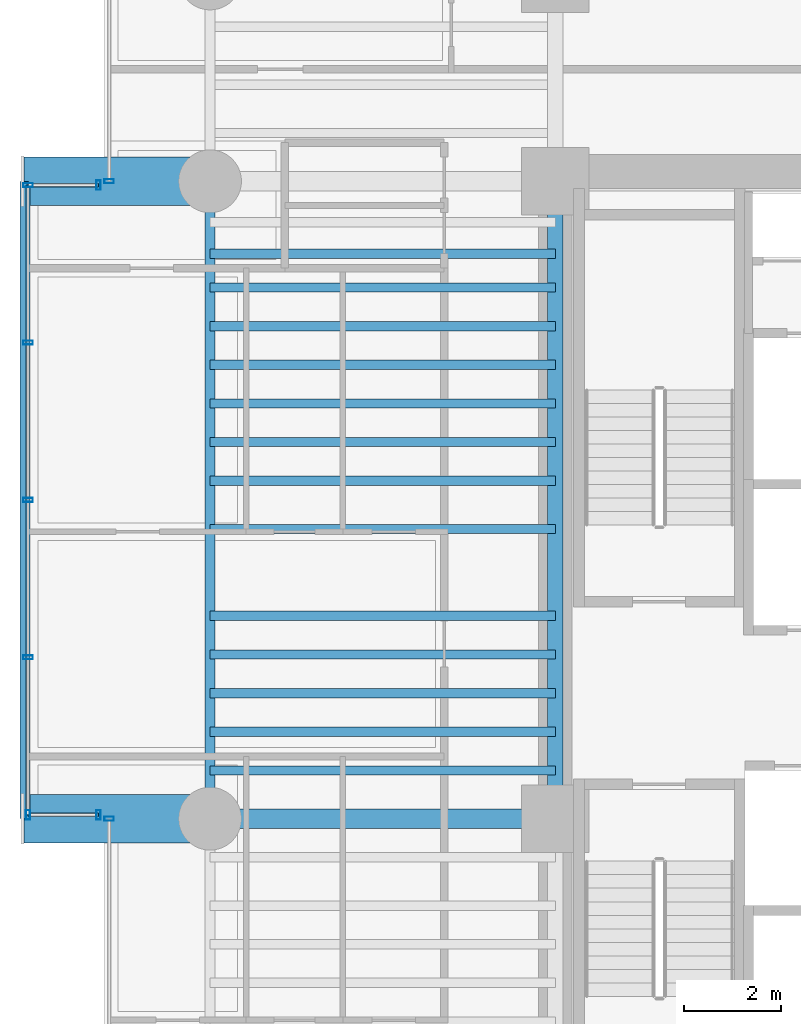
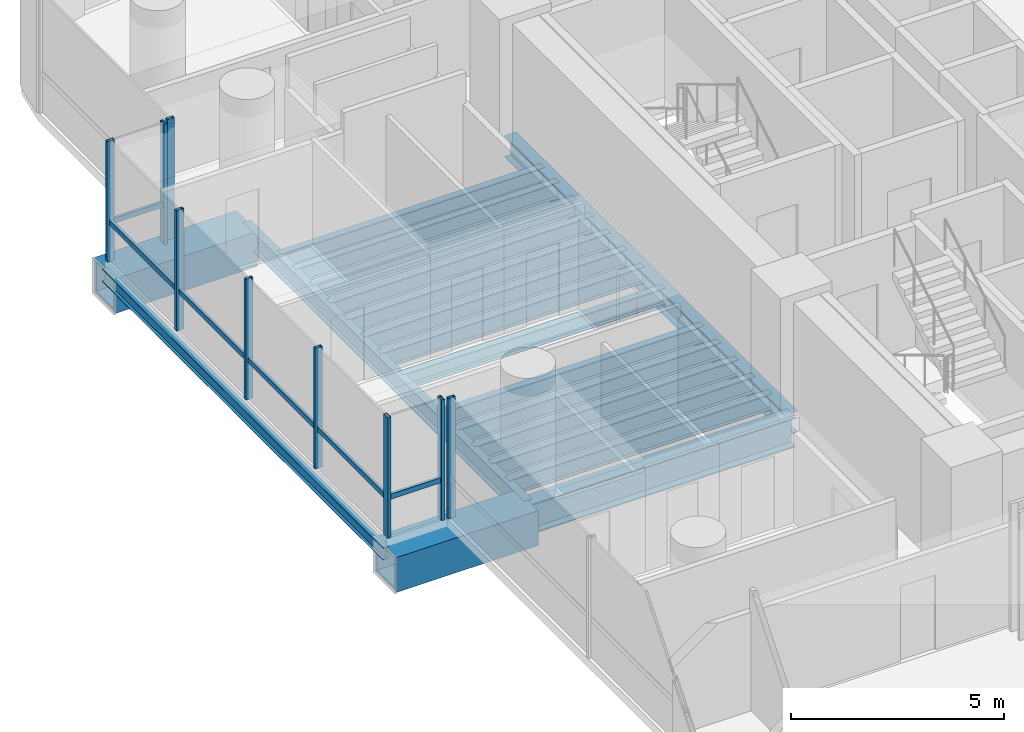
# One storey, part 8 of 40: 19 beams, 12 members, 5 elements without a shape of their own.
"""IFC4 building model written with IfcOpenShell, lengths in metres."""

import ifcopenshell
import ifcopenshell.guid

model = None  # the IFC model being written
_history = None  # IfcOwnerHistory: only IFC2X3 demands one
_inside = {}  # id of a spatial element -> (the spatial element, [elements in it])
_under = {}  # id of a project, library or spatial element -> (it, [spatial elements below it])
_declared = {}  # id of a project -> (the project, [libraries it declares])
_typed = {}  # id of a type object -> (the type object, [elements of that type])
_made_of = {}  # id of a material, layer set ... -> (it, [elements and type objects made of it])


def new_model(schema):
    """Start an empty IFC model of exactly this schema.

    Asked for "IFC4X3", IfcOpenShell would pick the latest addendum, in which some entities
    have other attributes; the version numbers below select the first issue.
    IFC2X3 requires an IfcOwnerHistory on every rooted entity: one is made here for all.
    """
    global model, _history
    if schema == "IFC4X3":
        model = ifcopenshell.file(schema_version=(4, 3, 0, 0))
    else:
        model = ifcopenshell.file(schema=schema)
    _inside.clear()
    _under.clear()
    _declared.clear()
    _typed.clear()
    _made_of.clear()
    _history = None
    if model.schema == "IFC2X3":
        org = make("IfcOrganization", Name="unknown")
        user = make(
            "IfcPersonAndOrganization",
            ThePerson=make("IfcPerson", FamilyName="unknown"),
            TheOrganization=org,
        )
        app = make(
            "IfcApplication",
            ApplicationDeveloper=org,
            Version="unknown",
            ApplicationFullName="unknown",
            ApplicationIdentifier="unknown",
        )
        _history = make(
            "IfcOwnerHistory",
            OwningUser=user,
            OwningApplication=app,
            ChangeAction="ADDED",
            CreationDate=0,
        )
    return model


def make(cls, **values):
    """One entity of the class cls with the attributes given. An attribute that is None is left unset."""
    return model.create_entity(
        cls, **{name: value for name, value in values.items() if value is not None}
    )


def rooted(cls, **values):
    """An entity with a GlobalId (a new one), such as an element, a storey or a relation."""
    return make(cls, GlobalId=ifcopenshell.guid.new(), OwnerHistory=_history, **values)


def si_unit(unit_type, name, prefix=None):
    """IfcSIUnit, for example si_unit("LENGTHUNIT", "METRE", prefix="MILLI")."""
    return make("IfcSIUnit", UnitType=unit_type, Prefix=prefix, Name=name)


def assignment(units):
    """IfcUnitAssignment: the units of a project."""
    return None if units is None else make("IfcUnitAssignment", Units=units)


def point(xyz):
    """IfcCartesianPoint."""
    return None if xyz is None else make("IfcCartesianPoint", Coordinates=xyz)


def direction(xyz):
    """IfcDirection."""
    return None if xyz is None else make("IfcDirection", DirectionRatios=xyz)


def frame(location, z_axis=None, x_axis=None):
    """IfcAxis2Placement3D, a coordinate frame: its origin and axes. An axis left out is left unset."""
    return make(
        "IfcAxis2Placement3D",
        Location=point(location),
        Axis=direction(z_axis),
        RefDirection=direction(x_axis),
    )


def frame_2d(location, x_axis=None):
    """IfcAxis2Placement2D, a coordinate frame in the plane: its origin and x axis."""
    return make(
        "IfcAxis2Placement2D", Location=point(location), RefDirection=direction(x_axis)
    )


def origin():
    """The frame at (0, 0, 0) with its axes left unset."""
    return frame((0.0, 0.0, 0.0))


def origin_2d():
    """The frame at (0, 0) in the plane with its x axis left unset."""
    return frame_2d((0.0, 0.0))


def place(relative_to, where):
    """IfcLocalPlacement: puts the frame where relative to a parent placement (None: the world)."""
    return make(
        "IfcLocalPlacement", PlacementRelTo=relative_to, RelativePlacement=where
    )


def context(
    kind, dimensions, precision=None, world=None, true_north=None, identifier=None
):
    """IfcGeometricRepresentationContext, for example the 3D "Model" context."""
    return make(
        "IfcGeometricRepresentationContext",
        ContextIdentifier=identifier,
        ContextType=kind,
        CoordinateSpaceDimension=dimensions,
        Precision=precision,
        WorldCoordinateSystem=world,
        TrueNorth=true_north,
    )


def subcontext(parent, identifier, kind, view, scale=None):
    """IfcGeometricRepresentationSubContext, for example "Body" below "Model"."""
    return make(
        "IfcGeometricRepresentationSubContext",
        ContextIdentifier=identifier,
        ContextType=kind,
        ParentContext=parent,
        TargetScale=scale,
        TargetView=view,
    )


def project(units=None, contexts=None):
    """IfcProject with its units and contexts."""
    return rooted(
        "IfcProject",
        Name="project",
        RepresentationContexts=contexts,
        UnitsInContext=assignment(units),
    )


def spatial(cls, under=None, at=None, **own):
    """A site, building, storey or space (cls), placed at a placement, below another one or the project."""
    s = rooted(cls, ObjectPlacement=at, **own)
    if under is not None:
        _under.setdefault(under.id(), (under, []))[1].append(s)
    return s


def profile(cls, at=None, kind="AREA", **sizes):
    """A parametric profile (cls). Its sizes go by their IFC names, for example OverallWidth=200.0."""
    return make(cls, ProfileType=kind, Position=at, **sizes)


def hollow_rectangle(**sizes):
    """IfcRectangleHollowProfileDef."""
    return profile("IfcRectangleHollowProfileDef", **sizes)


def i_section(**sizes):
    """IfcIShapeProfileDef."""
    return profile("IfcIShapeProfileDef", **sizes)


def extrude(swept, where, along, depth):
    """IfcExtrudedAreaSolid: the profile swept, set in the frame where, extruded along a direction by depth."""
    return make(
        "IfcExtrudedAreaSolid",
        SweptArea=swept,
        Position=where,
        ExtrudedDirection=direction(along),
        Depth=depth,
    )


def shape(context_of_items, identifier, shape_type, items):
    """IfcShapeRepresentation: the items that make up one representation, for example the "Body"."""
    return make(
        "IfcShapeRepresentation",
        ContextOfItems=context_of_items,
        RepresentationIdentifier=identifier,
        RepresentationType=shape_type,
        Items=items,
    )


def source(mapping_origin, context_of_items, identifier, shape_type, items):
    """IfcRepresentationMap: a shape defined once, which mapped items show again and again."""
    return make(
        "IfcRepresentationMap",
        MappingOrigin=mapping_origin,
        MappedRepresentation=shape(context_of_items, identifier, shape_type, items),
    )


def transform(
    local_origin,
    x_axis=None,
    y_axis=None,
    z_axis=None,
    scale=None,
    scale2=None,
    scale3=None,
    uniform=True,
):
    """IfcCartesianTransformationOperator3D, or its non-uniform kind. x_axis, y_axis, z_axis: its Axis1, 2, 3."""
    if uniform:
        return make(
            "IfcCartesianTransformationOperator3D",
            Axis1=direction(x_axis),
            Axis2=direction(y_axis),
            LocalOrigin=point(local_origin),
            Scale=scale,
            Axis3=direction(z_axis),
        )
    return make(
        "IfcCartesianTransformationOperator3DnonUniform",
        Axis1=direction(x_axis),
        Axis2=direction(y_axis),
        LocalOrigin=point(local_origin),
        Scale=scale,
        Axis3=direction(z_axis),
        Scale2=scale2,
        Scale3=scale3,
    )


def mapped(mapping_source, mapping_target):
    """IfcMappedItem: shows the shape of a source again, moved by a transform."""
    return make(
        "IfcMappedItem", MappingSource=mapping_source, MappingTarget=mapping_target
    )


def material(Name=None, Category=None):
    """IfcMaterial."""
    return make("IfcMaterial", Name=Name, Category=Category)


def material_profile(
    of_material, cross_section, Name=None, Category=None, Priority=None
):
    """IfcMaterialProfile: a cross section and its material."""
    return make(
        "IfcMaterialProfile",
        Name=Name,
        Material=of_material,
        Profile=cross_section,
        Priority=Priority,
        Category=Category,
    )


def profile_set(profiles, Name=None, composite=None):
    """IfcMaterialProfileSet."""
    return make(
        "IfcMaterialProfileSet",
        Name=Name,
        MaterialProfiles=profiles,
        CompositeProfile=composite,
    )


def made_of(thing, what):
    """Note that an element or type object is made of a material, layer set ...; save() writes the relation."""
    if what is not None:
        _made_of.setdefault(what.id(), (what, []))[1].append(thing)
    return thing


def type_object(cls, material=None, **own):
    """A type object (cls), such as IfcWallType, which elements share."""
    return made_of(rooted(cls, **own), material)


def element(
    cls,
    number,
    at=None,
    inside=None,
    cuts=None,
    type_object=None,
    material=None,
    context=None,
    identifier="Body",
    shape_type=None,
    held_by="IfcProductDefinitionShape",
    body=None,
    shapes=None,
    **own,
):
    """One element of the class cls, such as IfcWall. Its Tag is "e" and its number.

    at: its placement. inside: the storey or other place that contains it. cuts: it is an
    opening in that element (IfcRelVoidsElement). A single representation is given by context,
    identifier, shape_type and body (its items); several are given by shapes. held_by: the class
    of the entity that holds the representations. save() writes the other relations.
    """
    e = rooted(cls, Tag="e%d" % number, ObjectPlacement=at, **own)
    if body is not None:
        shapes = [shape(context, identifier, shape_type, body)]
    if shapes is not None:
        e.Representation = make(held_by, Representations=shapes)
    if inside is not None:
        _inside.setdefault(inside.id(), (inside, []))[1].append(e)
    if cuts is not None:
        rooted(
            "IfcRelVoidsElement", RelatingBuildingElement=cuts, RelatedOpeningElement=e
        )
    if type_object is not None:
        _typed.setdefault(type_object.id(), (type_object, []))[1].append(e)
    return made_of(e, material)


def aggregate(whole, parts):
    """IfcRelAggregates: a whole, such as a stair, and the parts it consists of."""
    return rooted("IfcRelAggregates", RelatingObject=whole, RelatedObjects=parts)


def save(model, path):
    """Write the relations noted so far, then the file.

    IfcRelAggregates (storeys below a building ...), IfcRelContainedInSpatialStructure (elements
    in a storey), IfcRelDefinesByType, IfcRelAssociatesMaterial and IfcRelDeclares: one each for
    every whole, place, type object, material and project.
    """
    for whole, parts in _under.values():
        aggregate(whole, parts)
    for where, things in _inside.values():
        rooted(
            "IfcRelContainedInSpatialStructure",
            RelatedElements=things,
            RelatingStructure=where,
        )
    for kind, things in _typed.values():
        rooted("IfcRelDefinesByType", RelatedObjects=things, RelatingType=kind)
    for what, things in _made_of.values():
        rooted("IfcRelAssociatesMaterial", RelatedObjects=things, RelatingMaterial=what)
    for by, libraries in _declared.values():
        rooted("IfcRelDeclares", RelatingContext=by, RelatedDefinitions=libraries)
    model.write(path)


model = new_model("IFC4")

# Units and contexts
model_context = context("Model", 3, precision=1e-05, world=origin(), true_north=direction((0.0, 1.0)))
body_context = subcontext(model_context, "Body", "Model", "MODEL_VIEW")
ifc_project = project(units=[si_unit("LENGTHUNIT", "METRE"), si_unit("AREAUNIT", "SQUARE_METRE"), si_unit("VOLUMEUNIT", "CUBIC_METRE"), si_unit("PLANEANGLEUNIT", "RADIAN"), si_unit("MASSUNIT", "GRAM", prefix="KILO")], contexts=[model_context])

# Site, building, storey
site_placement = place(None, origin())
site = spatial("IfcSite", under=ifc_project, at=site_placement, CompositionType="ELEMENT")
building_placement = place(site_placement, origin())
building = spatial("IfcBuilding", under=site, at=building_placement, Name="Valdorenza Pilgrim Sanctuary Tower", CompositionType="ELEMENT")
storey_placement = place(building_placement, frame((0.0, 0.0, 44.5)))
storey = spatial("IfcBuildingStorey", under=building, at=storey_placement, Name="L10", CompositionType="ELEMENT", Elevation=44.5)

# Beams
ifc_material_1 = material(Name="Steel ASTM A992 Grade 50", Category="steel")
ifc_material_profile_1 = material_profile(ifc_material_1, i_section(OverallWidth=0.214111328125, OverallDepth=0.549072265625, WebThickness=0.0146484375, FlangeThickness=0.023681640625, at=origin_2d()), Name="W21X93")
ifc_profile_set_1 = profile_set([ifc_material_profile_1], Name="Steel ASTM A992 Grade 50")
beam_type_1 = type_object("IfcBeamType", Name="STR-BM-SPN-W21A", PredefinedType="SPANDREL", material=ifc_profile_set_1)
shared_shape_1 = source(origin(), body_context, "Body", "SweptSolid", [
    extrude(i_section(OverallWidth=0.214111328125, OverallDepth=0.549072265625, WebThickness=0.0146484375, FlangeThickness=0.023681640625, at=origin_2d()), origin(), (0.0, 0.0, 1.0), 13.2001953125),
])
beam_1_placement = place(storey_placement, frame((-29.800048828125, -2.60009765625, -0.514404296875), z_axis=(0.0, 1.0, 0.0), x_axis=(-1.0, 0.0, 0.0)))
element("IfcBeam", 1, at=beam_1_placement, inside=storey, type_object=beam_type_1, Name="L10 Spandrel Beam WA-W-M0N1", PredefinedType="SPANDREL", context=body_context, shape_type="MappedRepresentation", body=[
    mapped(shared_shape_1, transform((0.0, 0.0, 0.0), x_axis=(1.0, 0.0, 0.0), y_axis=(0.0, 1.0, 0.0), z_axis=(0.0, 0.0, 1.0), scale=1.0)),
])
ifc_material_profile_2 = material_profile(ifc_material_1, i_section(OverallWidth=0.323974609375, OverallDepth=0.611083984375, WebThickness=0.0126953125, FlangeThickness=0.01904296875, at=origin_2d()), Name="W24X104")
ifc_profile_set_2 = profile_set([ifc_material_profile_2], Name="Steel ASTM A992 Grade 50")
beam_type_2 = type_object("IfcBeamType", Name="STR-BM-GRD-W24B", PredefinedType="BEAM", material=ifc_profile_set_2)
shared_shape_2 = source(origin(), body_context, "Body", "SweptSolid", [
    extrude(i_section(OverallWidth=0.323974609375, OverallDepth=0.611083984375, WebThickness=0.0126953125, FlangeThickness=0.01904296875, at=origin_2d()), origin(), (0.0, 0.0, 1.0), 13.2001953125),
])
beam_2_placement = place(storey_placement, frame((-22.64990234375, -2.60009765625, -0.54541015625), z_axis=(0.0, 1.0, 0.0), x_axis=(-1.0, 0.0, 0.0)))
element("IfcBeam", 2, at=beam_2_placement, inside=storey, type_object=beam_type_2, Name="L10 Core Tie Girder CA-W-M0N1", PredefinedType="BEAM", context=body_context, shape_type="MappedRepresentation", body=[
    mapped(shared_shape_2, transform((0.0, 0.0, 0.0), x_axis=(1.0, 0.0, 0.0), y_axis=(0.0, 1.0, 0.0), z_axis=(0.0, 0.0, 1.0), scale=1.0)),
])
ifc_material_profile_3 = material_profile(ifc_material_1, i_section(OverallWidth=0.193115234375, OverallDepth=0.466064453125, WebThickness=0.011474609375, FlangeThickness=0.01904296875, at=origin_2d()), Name="W18X65")
ifc_profile_set_3 = profile_set([ifc_material_profile_3], Name="Steel ASTM A992 Grade 50")
beam_type_3 = type_object("IfcBeamType", Name="STR-BM-JST-W18A", PredefinedType="JOIST", material=ifc_profile_set_3)
shared_shape_3 = source(origin(), body_context, "Body", "SweptSolid", [
    extrude(i_section(OverallWidth=0.193115234375, OverallDepth=0.466064453125, WebThickness=0.011474609375, FlangeThickness=0.01904296875, at=origin_2d()), origin(), (0.0, 0.0, 1.0), 7.150146484375),
])
for number, where, z_axis, x_axis, name in (
    (3, (-29.800048828125, -1.60009765625, -0.472900390625), (1.0, 0.0, 0.0), (0.0, 1.0, 0.0), "L10 Composite Floor Joist JST-WA-10"),
    (4, (-29.800048828125, -0.800048828125, -0.472900390625), (1.0, 0.0, 0.0), (0.0, 1.0, 0.0), "L10 Composite Floor Joist JST-WA-11"),
    (5, (-29.800048828125, 0.0, -0.472900390625), (1.0, 0.0, 0.0), (0.0, 1.0, 0.0), "L10 Composite Floor Joist JST-WA-12"),
    (6, (-29.800048828125, 0.800048828125, -0.472900390625), (1.0, 0.0, 0.0), (0.0, 1.0, 0.0), "L10 Composite Floor Joist JST-WA-13"),
    (7, (-29.800048828125, 1.60009765625, -0.472900390625), (1.0, 0.0, 0.0), (0.0, 1.0, 0.0), "L10 Composite Floor Joist JST-WA-14"),
    (8, (-29.800048828125, 3.39990234375, -0.472900390625), (1.0, 0.0, 0.0), (0.0, 1.0, 0.0), "L10 Composite Floor Joist JST-WA-15"),
    (9, (-29.800048828125, 4.39990234375, -0.472900390625), (1.0, 0.0, 0.0), (0.0, 1.0, 0.0), "L10 Composite Floor Joist JST-WA-16"),
    (10, (-29.800048828125, 5.199951171875, -0.472900390625), (1.0, 0.0, 0.0), (0.0, 1.0, 0.0), "L10 Composite Floor Joist JST-WA-17"),
    (11, (-29.800048828125, 6.0, -0.472900390625), (1.0, 0.0, 0.0), (0.0, 1.0, 0.0), "L10 Composite Floor Joist JST-WA-18"),
    (12, (-29.800048828125, 6.800048828125, -0.472900390625), (1.0, 0.0, 0.0), (0.0, 1.0, 0.0), "L10 Composite Floor Joist JST-WA-19"),
    (13, (-29.800048828125, 7.60009765625, -0.472900390625), (1.0, 0.0, 0.0), (0.0, 1.0, 0.0), "L10 Composite Floor Joist JST-WA-20"),
    (14, (-29.800048828125, 8.39990234375, -0.472900390625), (1.0, 0.0, 0.0), (0.0, 1.0, 0.0), "L10 Composite Floor Joist JST-WA-21"),
    (15, (-29.800048828125, 9.10009765625, -0.472900390625), (1.0, 0.0, 0.0), (0.0, 1.0, 0.0), "L10 Composite Floor Joist JST-WA-22"),
):
    element("IfcBeam", number, at=place(storey_placement, frame(where, z_axis=z_axis, x_axis=x_axis)), inside=storey, type_object=beam_type_3, Name=name, PredefinedType="JOIST", context=body_context, shape_type="MappedRepresentation", body=[
        mapped(shared_shape_3, transform((0.0, 0.0, 0.0), x_axis=(1.0, 0.0, 0.0), y_axis=(0.0, 1.0, 0.0), z_axis=(0.0, 0.0, 1.0), scale=1.0)),
    ])
ifc_material_2 = material(Name="Steel ASTM A572 Grade 42", Category="steel")
ifc_material_profile_4 = material_profile(ifc_material_2, hollow_rectangle(XDim=1.0, YDim=1.0, WallThickness=0.080078125, at=origin_2d()), Name="BOX 1000x1000x80")
ifc_profile_set_4 = profile_set([ifc_material_profile_4], Name="Steel ASTM A572 Grade 42")
beam_type_4 = type_object("IfcBeamType", Name="STR-BM-PROW-CANT", PredefinedType="BEAM", material=ifc_profile_set_4)
shared_shape_4 = source(origin(), body_context, "Body", "SweptSolid", [
    extrude(hollow_rectangle(XDim=1.0, YDim=1.0, WallThickness=0.080078125, at=origin_2d()), origin(), (0.0, 0.0, 1.0), 3.849853515625),
])
for number, where, z_axis, x_axis, name in (
    (16, (-29.800048828125, 10.60009765625, -0.739990234375), (-1.0, 0.0, 0.0), (0.0, -1.0, 0.0), "L10 Glass Box Cantilever Beam BOX-WA-L10-CT-N"),
    (17, (-29.800048828125, -2.60009765625, -0.739990234375), (-1.0, 0.0, 0.0), (0.0, -1.0, 0.0), "L10 Glass Box Cantilever Beam BOX-WA-L10-CT-S"),
):
    element("IfcBeam", number, at=place(storey_placement, frame(where, z_axis=z_axis, x_axis=x_axis)), inside=storey, type_object=beam_type_4, Name=name, PredefinedType="BEAM", context=body_context, shape_type="MappedRepresentation", body=[
        mapped(shared_shape_4, transform((0.0, 0.0, 0.0), x_axis=(1.0, 0.0, 0.0), y_axis=(0.0, 1.0, 0.0), z_axis=(0.0, 0.0, 1.0), scale=1.0)),
    ])
ifc_material_profile_5 = material_profile(ifc_material_1, i_section(OverallWidth=0.39990234375, OverallDepth=0.862060546875, WebThickness=0.019775390625, FlangeThickness=0.032470703125, at=origin_2d()), Name="W33X221")
ifc_profile_set_5 = profile_set([ifc_material_profile_5], Name="Steel ASTM A992 Grade 50")
beam_type_5 = type_object("IfcBeamType", Name="STR-BM-GRD-W33", PredefinedType="BEAM", material=ifc_profile_set_5)
shared_shape_5 = source(origin(), body_context, "Body", "SweptSolid", [
    extrude(i_section(OverallWidth=0.39990234375, OverallDepth=0.862060546875, WebThickness=0.019775390625, FlangeThickness=0.032470703125, at=origin_2d()), origin(), (0.0, 0.0, 1.0), 7.150146484375),
])
beam_3_placement = place(storey_placement, frame((-29.800048828125, -2.60009765625, -0.6708984375), z_axis=(1.0, 0.0, 0.0), x_axis=(0.0, 1.0, 0.0)))
element("IfcBeam", 18, at=beam_3_placement, inside=storey, type_object=beam_type_5, Name="L10 Floor Girder WA-XW-M0", PredefinedType="BEAM", context=body_context, shape_type="MappedRepresentation", body=[
    mapped(shared_shape_5, transform((0.0, 0.0, 0.0), x_axis=(1.0, 0.0, 0.0), y_axis=(0.0, 1.0, 0.0), z_axis=(0.0, 0.0, 1.0), scale=1.0)),
])
ifc_material_profile_6 = material_profile(ifc_material_1, i_section(OverallWidth=0.1708984375, OverallDepth=0.35107421875, WebThickness=0.0068359375, FlangeThickness=0.009765625, at=origin_2d()), Name="W14X30")
ifc_profile_set_6 = profile_set([ifc_material_profile_6], Name="Steel ASTM A992 Grade 50")
beam_type_6 = type_object("IfcBeamType", Name="STR-BM-BOX-W14", PredefinedType="BEAM", material=ifc_profile_set_6)
shared_shape_6 = source(origin(), body_context, "Body", "SweptSolid", [
    extrude(i_section(OverallWidth=0.1708984375, OverallDepth=0.35107421875, WebThickness=0.0068359375, FlangeThickness=0.009765625, at=origin_2d()), origin(), (0.0, 0.0, 1.0), 13.2001953125),
])
beam_4_placement = place(storey_placement, frame((-33.64990234375, -2.60009765625, -0.41552734375), z_axis=(0.0, 1.0, 0.0), x_axis=(-1.0, 0.0, 0.0)))
element("IfcBeam", 19, at=beam_4_placement, inside=storey, type_object=beam_type_6, Name="L10 Glass Box Edge Beam BOX-WA-L10-F", PredefinedType="BEAM", context=body_context, shape_type="MappedRepresentation", body=[
    mapped(shared_shape_6, transform((0.0, 0.0, 0.0), x_axis=(1.0, 0.0, 0.0), y_axis=(0.0, 1.0, 0.0), z_axis=(0.0, 0.0, 1.0), scale=1.0)),
])

# Curtain wall, member
ifc_material_3 = material(Name="Curtain-wall IGU glazing", Category="glass")
curtain_wall_type = type_object("IfcCurtainWallType", Name="CW-SYS-02", PredefinedType="NOTDEFINED", material=ifc_material_3)
curtain_wall_1_placement = place(storey_placement, origin())
curtain_wall_1 = element("IfcCurtainWall", 20, at=curtain_wall_1_placement, inside=storey, type_object=curtain_wall_type, Name="L10 Curtain Wall CW-L10-1-1S1", PredefinedType="NOTDEFINED")
ifc_material_4 = material(Name="Anodised aluminium AW-6060", Category="aluminium")
ifc_material_profile_7 = material_profile(ifc_material_4, hollow_rectangle(XDim=0.0849609375, YDim=0.199951171875, WallThickness=0.0048828125, at=origin_2d()), Name="ALU-M 200x85x5")
ifc_profile_set_7 = profile_set([ifc_material_profile_7], Name="Anodised aluminium AW-6060")
member_type_1 = type_object("IfcMemberType", Name="CW-MUL-02", PredefinedType="MULLION", material=ifc_profile_set_7)
shared_shape_7 = source(origin(), body_context, "Body", "SweptSolid", [
    extrude(hollow_rectangle(XDim=0.0849609375, YDim=0.199951171875, WallThickness=0.0048828125, at=origin_2d()), origin(), (0.0, 0.0, 1.0), 3.4599609375),
])
member_1_placement = place(storey_placement, frame((-31.889892578125, -2.60009765625, 0.0), z_axis=(0.0, 0.0, 1.0), x_axis=(0.0, 1.0, 0.0)))
member_1 = element("IfcMember", 21, at=member_1_placement, type_object=member_type_1, Name="CW-L10-1-1S1 Mullion 3", PredefinedType="MULLION", context=body_context, shape_type="MappedRepresentation", body=[
    mapped(shared_shape_7, transform((0.0, 0.0, 0.0), x_axis=(1.0, 0.0, 0.0), y_axis=(0.0, 1.0, 0.0), z_axis=(0.0, 0.0, 1.0), scale=1.0)),
])
aggregate(curtain_wall_1, [member_1])

curtain_wall_2_placement = place(storey_placement, origin())
curtain_wall_2 = element("IfcCurtainWall", 22, at=curtain_wall_2_placement, inside=storey, type_object=curtain_wall_type, Name="L10 Curtain Wall CW-L10-1-1S2", PredefinedType="NOTDEFINED")
member_2_placement = place(storey_placement, frame((-31.889892578125, 10.60009765625, 0.0), z_axis=(0.0, 0.0, 1.0), x_axis=(0.0, 1.0, 0.0)))
member_2 = element("IfcMember", 23, at=member_2_placement, type_object=member_type_1, Name="CW-L10-1-1S2 Mullion 1", PredefinedType="MULLION", context=body_context, shape_type="MappedRepresentation", body=[
    mapped(shared_shape_7, transform((0.0, 0.0, 0.0), x_axis=(1.0, 0.0, 0.0), y_axis=(0.0, 1.0, 0.0), z_axis=(0.0, 0.0, 1.0), scale=1.0)),
])
aggregate(curtain_wall_2, [member_2])

# Curtain wall, members
curtain_wall_3_placement = place(storey_placement, origin())
curtain_wall_3 = element("IfcCurtainWall", 24, at=curtain_wall_3_placement, inside=storey, type_object=curtain_wall_type, Name="L10 Curtain Wall CW-L10-BOX-WA-L10-S", PredefinedType="NOTDEFINED")
member_3_placement = place(storey_placement, frame((-32.110107421875, -2.52001953125, 0.0), z_axis=(0.0, 0.0, 1.0), x_axis=(-1.0, 0.0, 0.0)))
member_3 = element("IfcMember", 25, at=member_3_placement, type_object=member_type_1, Name="CW-L10-BOX-WA-L10-S Mullion 1", PredefinedType="MULLION", context=body_context, shape_type="MappedRepresentation", body=[
    mapped(shared_shape_7, transform((0.0, 0.0, 0.0), x_axis=(1.0, 0.0, 0.0), y_axis=(0.0, 1.0, 0.0), z_axis=(0.0, 0.0, 1.0), scale=1.0)),
])
member_4_placement = place(storey_placement, frame((-33.570068359375, -2.52001953125, 0.0), z_axis=(0.0, 0.0, 1.0), x_axis=(-1.0, 0.0, 0.0)))
member_4 = element("IfcMember", 26, at=member_4_placement, type_object=member_type_1, Name="CW-L10-BOX-WA-L10-S Mullion 2", PredefinedType="MULLION", context=body_context, shape_type="MappedRepresentation", body=[
    mapped(shared_shape_7, transform((0.0, 0.0, 0.0), x_axis=(1.0, 0.0, 0.0), y_axis=(0.0, 1.0, 0.0), z_axis=(0.0, 0.0, 1.0), scale=1.0)),
])

curtain_wall_4_placement = place(storey_placement, origin())
curtain_wall_4 = element("IfcCurtainWall", 27, at=curtain_wall_4_placement, inside=storey, type_object=curtain_wall_type, Name="L10 Curtain Wall CW-L10-BOX-WA-L10-F", PredefinedType="NOTDEFINED")
member_5_placement = place(storey_placement, frame((-33.570068359375, 0.739990234375, 0.0), z_axis=(0.0, 0.0, 1.0), x_axis=(0.0, 1.0, 0.0)))
member_5 = element("IfcMember", 28, at=member_5_placement, type_object=member_type_1, Name="CW-L10-BOX-WA-L10-F Mullion 2", PredefinedType="MULLION", context=body_context, shape_type="MappedRepresentation", body=[
    mapped(shared_shape_7, transform((0.0, 0.0, 0.0), x_axis=(1.0, 0.0, 0.0), y_axis=(0.0, 1.0, 0.0), z_axis=(0.0, 0.0, 1.0), scale=1.0)),
])
member_6_placement = place(storey_placement, frame((-33.570068359375, 4.0, 0.0), z_axis=(0.0, 0.0, 1.0), x_axis=(0.0, 1.0, 0.0)))
member_6 = element("IfcMember", 29, at=member_6_placement, type_object=member_type_1, Name="CW-L10-BOX-WA-L10-F Mullion 3", PredefinedType="MULLION", context=body_context, shape_type="MappedRepresentation", body=[
    mapped(shared_shape_7, transform((0.0, 0.0, 0.0), x_axis=(1.0, 0.0, 0.0), y_axis=(0.0, 1.0, 0.0), z_axis=(0.0, 0.0, 1.0), scale=1.0)),
])
member_7_placement = place(storey_placement, frame((-33.570068359375, 7.260009765625, 0.0), z_axis=(0.0, 0.0, 1.0), x_axis=(0.0, 1.0, 0.0)))
member_7 = element("IfcMember", 30, at=member_7_placement, type_object=member_type_1, Name="CW-L10-BOX-WA-L10-F Mullion 4", PredefinedType="MULLION", context=body_context, shape_type="MappedRepresentation", body=[
    mapped(shared_shape_7, transform((0.0, 0.0, 0.0), x_axis=(1.0, 0.0, 0.0), y_axis=(0.0, 1.0, 0.0), z_axis=(0.0, 0.0, 1.0), scale=1.0)),
])
member_8_placement = place(storey_placement, frame((-33.570068359375, 10.52001953125, 0.0), z_axis=(0.0, 0.0, 1.0), x_axis=(0.0, 1.0, 0.0)))
member_8 = element("IfcMember", 31, at=member_8_placement, type_object=member_type_1, Name="CW-L10-BOX-WA-L10-F Mullion 5", PredefinedType="MULLION", context=body_context, shape_type="MappedRepresentation", body=[
    mapped(shared_shape_7, transform((0.0, 0.0, 0.0), x_axis=(1.0, 0.0, 0.0), y_axis=(0.0, 1.0, 0.0), z_axis=(0.0, 0.0, 1.0), scale=1.0)),
])

# Curtain wall, member
curtain_wall_5_placement = place(storey_placement, origin())
curtain_wall_5 = element("IfcCurtainWall", 32, at=curtain_wall_5_placement, inside=storey, type_object=curtain_wall_type, Name="L10 Curtain Wall CW-L10-BOX-WA-L10-N", PredefinedType="NOTDEFINED")
member_9_placement = place(storey_placement, frame((-32.110107421875, 10.52001953125, 0.0), z_axis=(0.0, 0.0, 1.0), x_axis=(1.0, 0.0, 0.0)))
member_9 = element("IfcMember", 33, at=member_9_placement, type_object=member_type_1, Name="CW-L10-BOX-WA-L10-N Mullion 2", PredefinedType="MULLION", context=body_context, shape_type="MappedRepresentation", body=[
    mapped(shared_shape_7, transform((0.0, 0.0, 0.0), x_axis=(1.0, 0.0, 0.0), y_axis=(0.0, 1.0, 0.0), z_axis=(0.0, 0.0, 1.0), scale=1.0)),
])

# Member
ifc_material_profile_8 = material_profile(ifc_material_4, hollow_rectangle(XDim=0.074951171875, YDim=0.14990234375, WallThickness=0.00390625, at=origin_2d()), Name="ALU-T 150x75x4")
ifc_profile_set_8 = profile_set([ifc_material_profile_8], Name="Anodised aluminium AW-6060")
member_type_2 = type_object("IfcMemberType", Name="CW-TRN-02", PredefinedType="USERDEFINED", material=ifc_profile_set_8)
shared_shape_8 = source(origin(), body_context, "Body", "SweptSolid", [
    extrude(hollow_rectangle(XDim=0.074951171875, YDim=0.14990234375, WallThickness=0.00390625, at=origin_2d()), origin(), (0.0, 0.0, 1.0), 1.4599609375),
])
member_10_placement = place(storey_placement, frame((-32.110107421875, -2.52001953125, 1.1201171875), z_axis=(-1.0, 0.0, 0.0), x_axis=(0.0, -1.0, 0.0)))
member_10 = element("IfcMember", 34, at=member_10_placement, type_object=member_type_2, Name="CW-L10-BOX-WA-L10-S Transom 1", ObjectType="TRANSOM", PredefinedType="USERDEFINED", context=body_context, shape_type="MappedRepresentation", body=[
    mapped(shared_shape_8, transform((0.0, 0.0, 0.0), x_axis=(1.0, 0.0, 0.0), y_axis=(0.0, 1.0, 0.0), z_axis=(0.0, 0.0, 1.0), scale=1.0)),
])

aggregate(curtain_wall_3, [member_3, member_4, member_10])

member_11_placement = place(storey_placement, frame((-33.570068359375, 10.52001953125, 1.1201171875), z_axis=(1.0, 0.0, 0.0), x_axis=(0.0, 1.0, 0.0)))
member_11 = element("IfcMember", 35, at=member_11_placement, type_object=member_type_2, Name="CW-L10-BOX-WA-L10-N Transom 1", ObjectType="TRANSOM", PredefinedType="USERDEFINED", context=body_context, shape_type="MappedRepresentation", body=[
    mapped(shared_shape_8, transform((0.0, 0.0, 0.0), x_axis=(1.0, 0.0, 0.0), y_axis=(0.0, 1.0, 0.0), z_axis=(0.0, 0.0, 1.0), scale=1.0)),
])

aggregate(curtain_wall_5, [member_9, member_11])

shared_shape_9 = source(origin(), body_context, "Body", "SweptSolid", [
    extrude(hollow_rectangle(XDim=0.074951171875, YDim=0.14990234375, WallThickness=0.00390625, at=origin_2d()), origin(), (0.0, 0.0, 1.0), 13.0400390625),
])
member_12_placement = place(storey_placement, frame((-33.570068359375, -2.52001953125, 1.1201171875), z_axis=(0.0, 1.0, 0.0), x_axis=(-1.0, 0.0, 0.0)))
member_12 = element("IfcMember", 36, at=member_12_placement, type_object=member_type_2, Name="CW-L10-BOX-WA-L10-F Transom 1", ObjectType="TRANSOM", PredefinedType="USERDEFINED", context=body_context, shape_type="MappedRepresentation", body=[
    mapped(shared_shape_9, transform((0.0, 0.0, 0.0), x_axis=(1.0, 0.0, 0.0), y_axis=(0.0, 1.0, 0.0), z_axis=(0.0, 0.0, 1.0), scale=1.0)),
])

aggregate(curtain_wall_4, [member_5, member_6, member_7, member_8, member_12])

save(model, "model.ifc")
